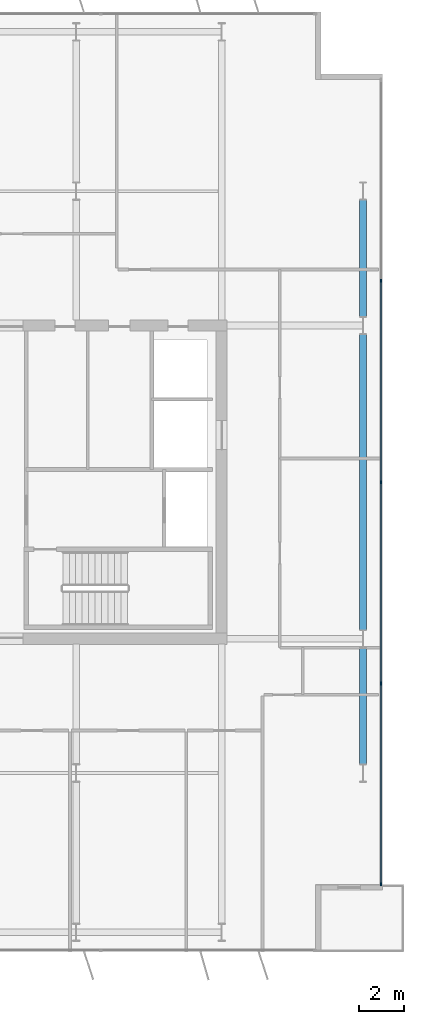
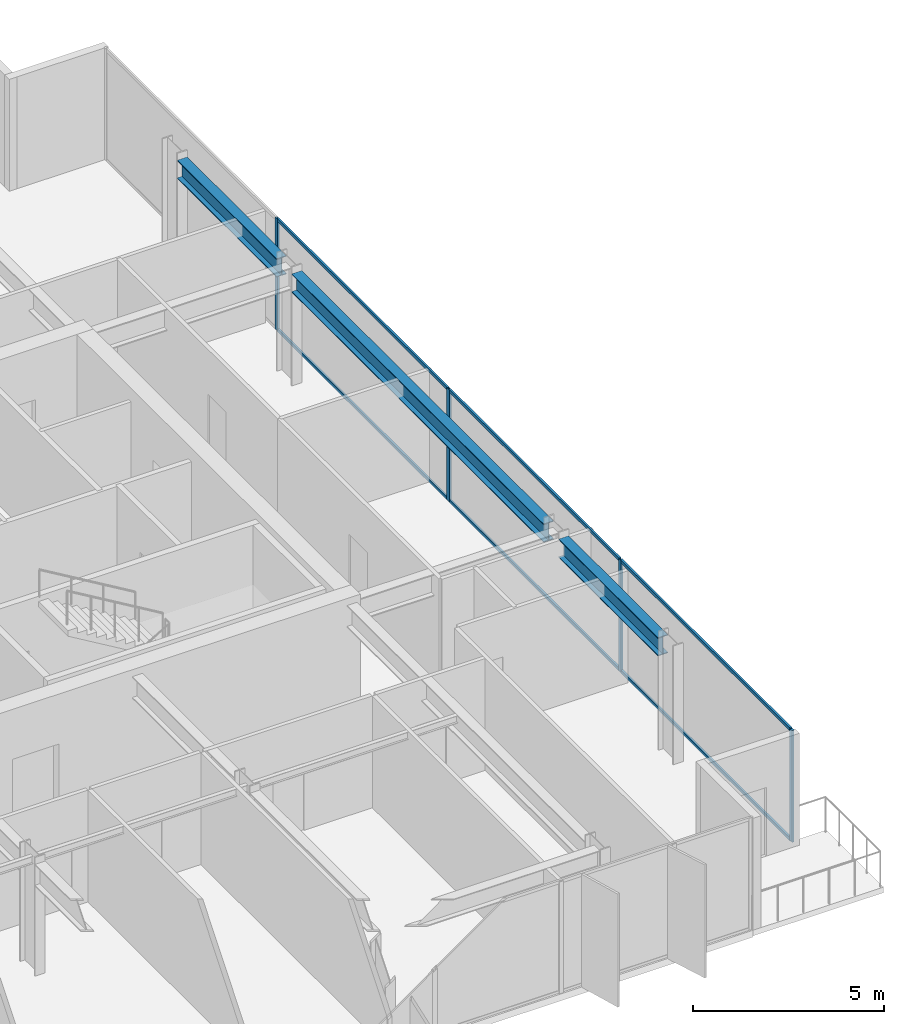
# One storey, part 14 of 24: 10 members, 3 beams, 1 element without a shape of its own.
"""IFC4 building model written with IfcOpenShell, lengths in metres."""

from ifc_helpers import new_model, si_unit, direction, frame, origin, origin_2d, place, context, subcontext, project, spatial, rectangle, i_section, extrude, material, layer, layer_set, material_profile, profile_set, type_object, element, aggregate, save


model = new_model("IFC4")

# Units and contexts
model_context = context("Model", 3, precision=1e-05, world=origin(), true_north=direction((0.0, 1.0)))
body_context = subcontext(model_context, "Body", "Model", "MODEL_VIEW")
ifc_project = project(units=[si_unit("LENGTHUNIT", "METRE"), si_unit("AREAUNIT", "SQUARE_METRE"), si_unit("VOLUMEUNIT", "CUBIC_METRE"), si_unit("PLANEANGLEUNIT", "RADIAN"), si_unit("MASSUNIT", "GRAM", prefix="KILO")], contexts=[model_context])

# Site, building, storey
site_placement = place(None, origin())
site = spatial("IfcSite", under=ifc_project, at=site_placement, CompositionType="ELEMENT")
building_placement = place(site_placement, origin())
building = spatial("IfcBuilding", under=site, at=building_placement, Name="Putna Gate Headquarters", CompositionType="ELEMENT")
storey_placement = place(building_placement, frame((0.0, 0.0, 244.199951171875)))
storey = spatial("IfcBuildingStorey", under=building, at=storey_placement, Name="L61", CompositionType="ELEMENT", Elevation=244.199951171875)

# Beams
ifc_material_1 = material(Name="Steel S355J2", Category="steel")
ifc_material_profile_1 = material_profile(ifc_material_1, i_section(OverallWidth=0.300048828125, OverallDepth=0.590087890625, WebThickness=0.012939453125, FlangeThickness=0.02490234375, at=origin_2d()), Name="Steel S355J2")
ifc_profile_set_1 = profile_set([ifc_material_profile_1], Name="Steel S355J2")
beam_type = type_object("IfcBeamType", Name="BM-SPAN-Z4-HEA600", PredefinedType="SPANDREL", material=ifc_profile_set_1)
beam_1_placement = place(storey_placement, frame((71.320068359375, 13.39501953125, 3.28515625), z_axis=(0.0, 1.0, 0.0), x_axis=(-1.0, 0.0, 0.0)))
element("IfcBeam", 1, at=beam_1_placement, inside=storey, type_object=beam_type, Name="L61 E End Spandrel 1", PredefinedType="SPANDREL", context=body_context, shape_type="SweptSolid", body=[
    extrude(i_section(OverallWidth=0.300048828125, OverallDepth=0.590087890625, WebThickness=0.012939453125, FlangeThickness=0.02490234375, at=origin_2d()), origin(), (0.0, 0.0, 1.0), 5.2099609375),
])
beam_2_placement = place(storey_placement, frame((71.320068359375, 19.39501953125, 3.28515625), z_axis=(0.0, 1.0, 0.0), x_axis=(-1.0, 0.0, 0.0)))
element("IfcBeam", 2, at=beam_2_placement, inside=storey, type_object=beam_type, Name="L61 E End Spandrel 2", PredefinedType="SPANDREL", context=body_context, shape_type="SweptSolid", body=[
    extrude(i_section(OverallWidth=0.300048828125, OverallDepth=0.590087890625, WebThickness=0.012939453125, FlangeThickness=0.02490234375, at=origin_2d()), origin(), (0.0, 0.0, 1.0), 13.2099609375),
])
beam_3_placement = place(storey_placement, frame((71.320068359375, 33.39501953125, 3.28515625), z_axis=(0.0, 1.0, 0.0), x_axis=(-1.0, 0.0, 0.0)))
element("IfcBeam", 3, at=beam_3_placement, inside=storey, type_object=beam_type, Name="L61 E End Spandrel 3", PredefinedType="SPANDREL", context=body_context, shape_type="SweptSolid", body=[
    extrude(i_section(OverallWidth=0.300048828125, OverallDepth=0.590087890625, WebThickness=0.012939453125, FlangeThickness=0.02490234375, at=origin_2d()), origin(), (0.0, 0.0, 1.0), 5.2099609375),
])

# Curtain wall, members
ifc_material_2 = material(Name="Anodised bronze aluminium curtain wall", Category="aluminium")
ifc_layer = layer(ifc_material_2, 0.139892578125)
ifc_layer_set = layer_set([ifc_layer], Name="Anodised bronze aluminium curtain wall")
curtain_wall_type = type_object("IfcCurtainWallType", Name="CW-SYS-Z4", PredefinedType="USERDEFINED", material=ifc_layer_set)
curtain_wall_placement = place(storey_placement, origin())
curtain_wall = element("IfcCurtainWall", 4, at=curtain_wall_placement, inside=storey, type_object=curtain_wall_type, Name="L61 East Curtain Wall", ObjectType="STICK CURTAIN WALL", PredefinedType="USERDEFINED")
ifc_material_3 = material(Name="Anodised bronze aluminium EN AW-6060", Category="aluminium")
ifc_material_profile_2 = material_profile(ifc_material_3, rectangle(XDim=0.06005859375, YDim=0.139892578125, at=origin_2d()), Name="Anodised bronze aluminium EN AW-6060")
ifc_profile_set_2 = profile_set([ifc_material_profile_2], Name="Anodised bronze aluminium EN AW-6060")
member_type_1 = type_object("IfcMemberType", Name="MULL-CWM-4", PredefinedType="MULLION", material=ifc_profile_set_2)
member_1_placement = place(storey_placement, frame((72.1201171875, 8.030029296875, 0.0), z_axis=(0.0, 0.0, 1.0), x_axis=(-1.0, 0.0, 0.0)))
member_1 = element("IfcMember", 5, at=member_1_placement, type_object=member_type_1, Name="CWS-4 mullion 1", PredefinedType="MULLION", context=body_context, shape_type="SweptSolid", body=[
    extrude(rectangle(XDim=0.06005859375, YDim=0.139892578125, at=origin_2d()), origin(), (0.0, 0.0, 1.0), 3.580078125),
])
member_2_placement = place(storey_placement, frame((72.1201171875, 17.0, 0.0), z_axis=(0.0, 0.0, 1.0), x_axis=(-1.0, 0.0, 0.0)))
member_2 = element("IfcMember", 6, at=member_2_placement, type_object=member_type_1, Name="CWS-4 mullion 2", PredefinedType="MULLION", context=body_context, shape_type="SweptSolid", body=[
    extrude(rectangle(XDim=0.06005859375, YDim=0.139892578125, at=origin_2d()), origin(), (0.0, 0.0, 1.0), 3.580078125),
])
member_3_placement = place(storey_placement, frame((72.1201171875, 26.0, 0.0), z_axis=(0.0, 0.0, 1.0), x_axis=(-1.0, 0.0, 0.0)))
member_3 = element("IfcMember", 7, at=member_3_placement, type_object=member_type_1, Name="CWS-4 mullion 3", PredefinedType="MULLION", context=body_context, shape_type="SweptSolid", body=[
    extrude(rectangle(XDim=0.06005859375, YDim=0.139892578125, at=origin_2d()), origin(), (0.0, 0.0, 1.0), 3.580078125),
])
member_4_placement = place(storey_placement, frame((72.1201171875, 35.0, 0.0), z_axis=(0.0, 0.0, 1.0), x_axis=(-1.0, 0.0, 0.0)))
member_4 = element("IfcMember", 8, at=member_4_placement, type_object=member_type_1, Name="CWS-4 mullion 4", PredefinedType="MULLION", context=body_context, shape_type="SweptSolid", body=[
    extrude(rectangle(XDim=0.06005859375, YDim=0.139892578125, at=origin_2d()), origin(), (0.0, 0.0, 1.0), 3.580078125),
])
ifc_material_profile_3 = material_profile(ifc_material_3, rectangle(XDim=0.06005859375, YDim=0.10009765625, at=origin_2d()), Name="Anodised bronze aluminium EN AW-6060")
ifc_profile_set_3 = profile_set([ifc_material_profile_3], Name="Anodised bronze aluminium EN AW-6060")
member_type_2 = type_object("IfcMemberType", Name="TRAN-CWT-4", PredefinedType="USERDEFINED", material=ifc_profile_set_3)
member_5_placement = place(storey_placement, frame((72.1201171875, 8.06005859375, 0.030029296875), z_axis=(0.0, 1.0, 0.0), x_axis=(-1.0, 0.0, 0.0)))
member_5 = element("IfcMember", 9, at=member_5_placement, type_object=member_type_2, Name="CWS-4 transom 1.1", ObjectType="TRANSOM", PredefinedType="USERDEFINED", context=body_context, shape_type="SweptSolid", body=[
    extrude(rectangle(XDim=0.06005859375, YDim=0.10009765625, at=origin_2d()), origin(), (0.0, 0.0, 1.0), 8.909912109375),
])
member_6_placement = place(storey_placement, frame((72.1201171875, 8.06005859375, 3.550048828125), z_axis=(0.0, 1.0, 0.0), x_axis=(-1.0, 0.0, 0.0)))
member_6 = element("IfcMember", 10, at=member_6_placement, type_object=member_type_2, Name="CWS-4 transom 1.2", ObjectType="TRANSOM", PredefinedType="USERDEFINED", context=body_context, shape_type="SweptSolid", body=[
    extrude(rectangle(XDim=0.06005859375, YDim=0.10009765625, at=origin_2d()), origin(), (0.0, 0.0, 1.0), 8.909912109375),
])
member_7_placement = place(storey_placement, frame((72.1201171875, 17.030029296875, 0.030029296875), z_axis=(0.0, 1.0, 0.0), x_axis=(-1.0, 0.0, 0.0)))
member_7 = element("IfcMember", 11, at=member_7_placement, type_object=member_type_2, Name="CWS-4 transom 2.1", ObjectType="TRANSOM", PredefinedType="USERDEFINED", context=body_context, shape_type="SweptSolid", body=[
    extrude(rectangle(XDim=0.06005859375, YDim=0.10009765625, at=origin_2d()), origin(), (0.0, 0.0, 1.0), 8.93994140625),
])
member_8_placement = place(storey_placement, frame((72.1201171875, 17.030029296875, 3.550048828125), z_axis=(0.0, 1.0, 0.0), x_axis=(-1.0, 0.0, 0.0)))
member_8 = element("IfcMember", 12, at=member_8_placement, type_object=member_type_2, Name="CWS-4 transom 2.2", ObjectType="TRANSOM", PredefinedType="USERDEFINED", context=body_context, shape_type="SweptSolid", body=[
    extrude(rectangle(XDim=0.06005859375, YDim=0.10009765625, at=origin_2d()), origin(), (0.0, 0.0, 1.0), 8.93994140625),
])
member_9_placement = place(storey_placement, frame((72.1201171875, 26.030029296875, 0.030029296875), z_axis=(0.0, 1.0, 0.0), x_axis=(-1.0, 0.0, 0.0)))
member_9 = element("IfcMember", 13, at=member_9_placement, type_object=member_type_2, Name="CWS-4 transom 3.1", ObjectType="TRANSOM", PredefinedType="USERDEFINED", context=body_context, shape_type="SweptSolid", body=[
    extrude(rectangle(XDim=0.06005859375, YDim=0.10009765625, at=origin_2d()), origin(), (0.0, 0.0, 1.0), 8.93994140625),
])
member_10_placement = place(storey_placement, frame((72.1201171875, 26.030029296875, 3.550048828125), z_axis=(0.0, 1.0, 0.0), x_axis=(-1.0, 0.0, 0.0)))
member_10 = element("IfcMember", 14, at=member_10_placement, type_object=member_type_2, Name="CWS-4 transom 3.2", ObjectType="TRANSOM", PredefinedType="USERDEFINED", context=body_context, shape_type="SweptSolid", body=[
    extrude(rectangle(XDim=0.06005859375, YDim=0.10009765625, at=origin_2d()), origin(), (0.0, 0.0, 1.0), 8.93994140625),
])
aggregate(curtain_wall, [member_1, member_2, member_3, member_4, member_5, member_6, member_7, member_8, member_9, member_10])

save(model, "model.ifc")
